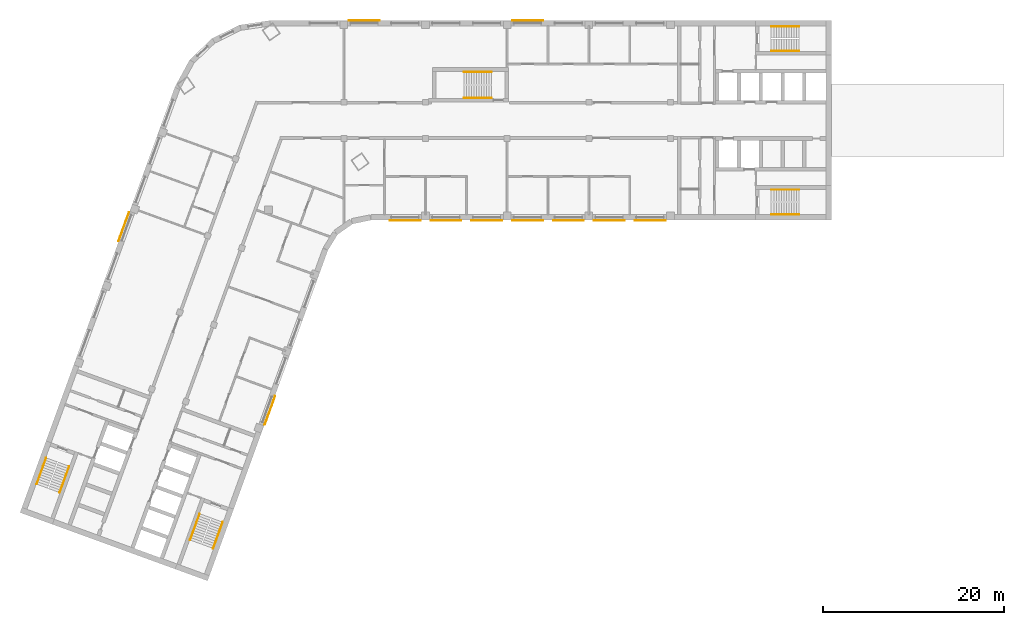
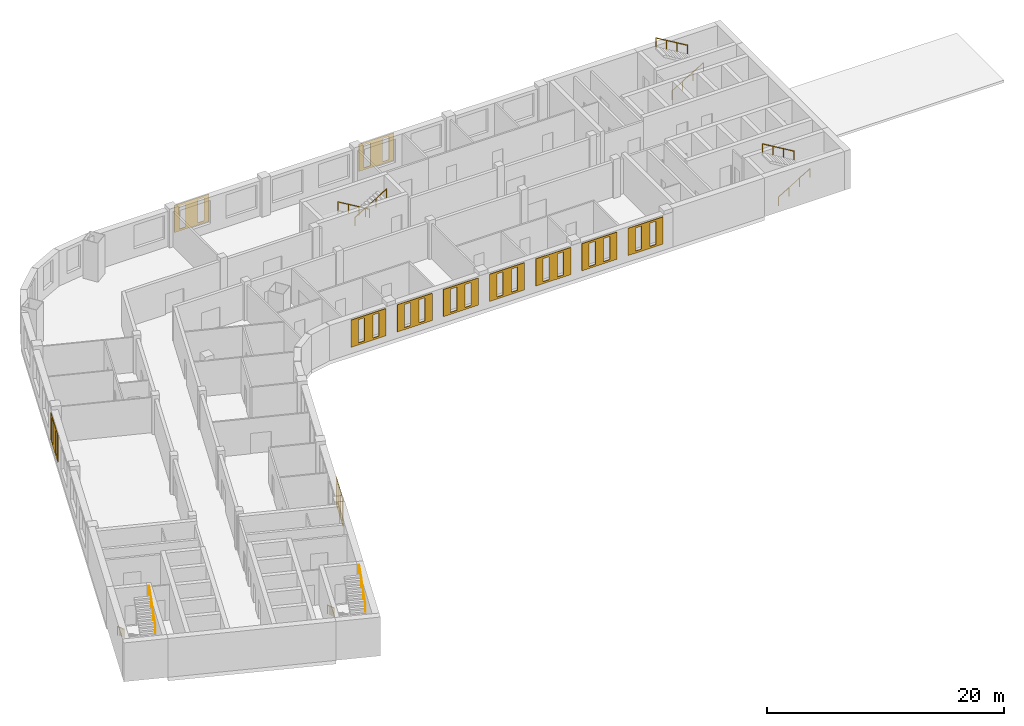
# One storey, part 8 of 8: 11 coverings, 10 railings.
"""IFC4 building model written with IfcOpenShell, lengths in metres."""

from ifc_helpers import new_model, si_unit, direction, frame, origin, origin_2d, place, context, subcontext, project, spatial, polyline, circle, outline, extrude, material, material_profile, profile_set, type_object, element, save


model = new_model("IFC4")

# Units and contexts
model_context = context("Model", 3, precision=1e-05, world=origin(), true_north=direction((0.0, 1.0)))
body_context = subcontext(model_context, "Body", "Model", "MODEL_VIEW")
ifc_project = project(units=[si_unit("LENGTHUNIT", "METRE"), si_unit("AREAUNIT", "SQUARE_METRE"), si_unit("VOLUMEUNIT", "CUBIC_METRE"), si_unit("PLANEANGLEUNIT", "RADIAN"), si_unit("MASSUNIT", "GRAM", prefix="KILO")], contexts=[model_context])

# Site, building, storey
site_placement = place(None, origin())
site = spatial("IfcSite", under=ifc_project, at=site_placement, CompositionType="ELEMENT")
building_placement = place(site_placement, origin())
building = spatial("IfcBuilding", under=site, at=building_placement, Name="Skarvind Civic Tower", CompositionType="ELEMENT")
storey_placement = place(building_placement, frame((0.0, 0.0, 121.0)))
storey = spatial("IfcBuildingStorey", under=building, at=storey_placement, Name="L28", CompositionType="ELEMENT", Elevation=121.0)

# Railings
ifc_material_1 = material(Name="Painted steel handrail", Category="steel")
railing_type = type_object("IfcRailingType", Name="Stair handrail 900", PredefinedType="HANDRAIL", material=ifc_material_1)
railing_1_placement = place(storey_placement, frame((101.35009765625, 135.64990234375, 0.166748046875)))
element("IfcRailing", 1, at=railing_1_placement, inside=storey, type_object=railing_type, Name="Stair handrail", PredefinedType="HANDRAIL", context=body_context, shape_type="SweptSolid", body=[
    extrude(circle(Radius=0.02392578125, at=origin_2d()), frame((0.0, 0.0, 0.8759765625), z_axis=(0.859290745958, 0.0, 0.51148745235), x_axis=(0.0, 1.0, 0.0)), (0.0, 0.0, 1.0), 3.584228515625),
    extrude(circle(Radius=0.02099609375, at=origin_2d()), origin(), (0.0, 0.0, 1.0), 0.851806640625),
    extrude(circle(Radius=0.02099609375, at=origin_2d()), frame((1.026611328125, 0.0, 0.611083984375)), (0.0, 0.0, 1.0), 0.851806640625),
    extrude(circle(Radius=0.02099609375, at=origin_2d()), frame((2.05322265625, 0.0, 1.22216796875)), (0.0, 0.0, 1.0), 0.851806640625),
    extrude(circle(Radius=0.02099609375, at=origin_2d()), frame((3.079833984375, 0.0, 1.833251953125)), (0.0, 0.0, 1.0), 0.851806640625),
])
railing_2_placement = place(storey_placement, frame((104.429931640625, 138.35009765625, 2.166748046875)))
element("IfcRailing", 2, at=railing_2_placement, inside=storey, type_object=railing_type, Name="Stair handrail", PredefinedType="HANDRAIL", context=body_context, shape_type="SweptSolid", body=[
    extrude(circle(Radius=0.02392578125, at=origin_2d()), frame((0.0, 0.0, 0.8759765625), z_axis=(-0.859290745958, 0.0, 0.51148745235), x_axis=(0.0, -1.0, 0.0)), (0.0, 0.0, 1.0), 3.584228515625),
    extrude(circle(Radius=0.02099609375, at=origin_2d()), origin(), (0.0, 0.0, 1.0), 0.851806640625),
    extrude(circle(Radius=0.02099609375, at=origin_2d()), frame((-1.026611328125, 0.0, 0.611083984375)), (0.0, 0.0, 1.0), 0.851806640625),
    extrude(circle(Radius=0.02099609375, at=origin_2d()), frame((-2.05322265625, 0.0, 1.22216796875)), (0.0, 0.0, 1.0), 0.851806640625),
    extrude(circle(Radius=0.02099609375, at=origin_2d()), frame((-3.079833984375, 0.0, 1.833251953125)), (0.0, 0.0, 1.0), 0.851806640625),
])
railing_3_placement = place(storey_placement, frame((101.35009765625, 117.64990234375, 0.166748046875)))
element("IfcRailing", 3, at=railing_3_placement, inside=storey, type_object=railing_type, Name="Stair handrail", PredefinedType="HANDRAIL", context=body_context, shape_type="SweptSolid", body=[
    extrude(circle(Radius=0.02392578125, at=origin_2d()), frame((0.0, 0.0, 0.8759765625), z_axis=(0.859290745958, 0.0, 0.51148745235), x_axis=(0.0, 1.0, 0.0)), (0.0, 0.0, 1.0), 3.584228515625),
    extrude(circle(Radius=0.02099609375, at=origin_2d()), origin(), (0.0, 0.0, 1.0), 0.851806640625),
    extrude(circle(Radius=0.02099609375, at=origin_2d()), frame((1.026611328125, 0.0, 0.611083984375)), (0.0, 0.0, 1.0), 0.851806640625),
    extrude(circle(Radius=0.02099609375, at=origin_2d()), frame((2.05322265625, 0.0, 1.22216796875)), (0.0, 0.0, 1.0), 0.851806640625),
    extrude(circle(Radius=0.02099609375, at=origin_2d()), frame((3.079833984375, 0.0, 1.833251953125)), (0.0, 0.0, 1.0), 0.851806640625),
])
railing_4_placement = place(storey_placement, frame((104.429931640625, 120.35009765625, 2.166748046875)))
element("IfcRailing", 4, at=railing_4_placement, inside=storey, type_object=railing_type, Name="Stair handrail", PredefinedType="HANDRAIL", context=body_context, shape_type="SweptSolid", body=[
    extrude(circle(Radius=0.02392578125, at=origin_2d()), frame((0.0, 0.0, 0.8759765625), z_axis=(-0.859290745958, 0.0, 0.51148745235), x_axis=(0.0, -1.0, 0.0)), (0.0, 0.0, 1.0), 3.584228515625),
    extrude(circle(Radius=0.02099609375, at=origin_2d()), origin(), (0.0, 0.0, 1.0), 0.851806640625),
    extrude(circle(Radius=0.02099609375, at=origin_2d()), frame((-1.026611328125, 0.0, 0.611083984375)), (0.0, 0.0, 1.0), 0.851806640625),
    extrude(circle(Radius=0.02099609375, at=origin_2d()), frame((-2.05322265625, 0.0, 1.22216796875)), (0.0, 0.0, 1.0), 0.851806640625),
    extrude(circle(Radius=0.02099609375, at=origin_2d()), frame((-3.079833984375, 0.0, 1.833251953125)), (0.0, 0.0, 1.0), 0.851806640625),
])
railing_5_placement = place(storey_placement, frame((38.362060546875, 84.64794921875, 0.166748046875)))
element("IfcRailing", 5, at=railing_5_placement, inside=storey, type_object=railing_type, Name="Stair handrail", PredefinedType="HANDRAIL", context=body_context, shape_type="SweptSolid", body=[
    extrude(circle(Radius=0.02392578125, at=origin_2d()), frame((0.0, 0.0, 0.8759765625), z_axis=(-0.293908055923, -0.807480881337, 0.511461319103), x_axis=(0.939689235759, -0.342029443467, 0.0)), (0.0, 0.0, 1.0), 3.584228515625),
    extrude(circle(Radius=0.02099609375, at=origin_2d()), origin(), (0.0, 0.0, 1.0), 0.851806640625),
    extrude(circle(Radius=0.02099609375, at=origin_2d()), frame((-0.35107421875, -0.96484375, 0.611083984375)), (0.0, 0.0, 1.0), 0.851806640625),
    extrude(circle(Radius=0.02099609375, at=origin_2d()), frame((-0.702392578125, -1.929443359375, 1.22216796875)), (0.0, 0.0, 1.0), 0.851806640625),
    extrude(circle(Radius=0.02099609375, at=origin_2d()), frame((-1.053466796875, -2.894287109375, 1.833251953125)), (0.0, 0.0, 1.0), 0.851806640625),
])
railing_6_placement = place(storey_placement, frame((39.845703125, 80.830078125, 2.166748046875)))
element("IfcRailing", 6, at=railing_6_placement, inside=storey, type_object=railing_type, Name="Stair handrail", PredefinedType="HANDRAIL", context=body_context, shape_type="SweptSolid", body=[
    extrude(circle(Radius=0.02392578125, at=origin_2d()), frame((0.0, 0.0, 0.8759765625), z_axis=(0.293908055923, 0.807480881337, 0.511461319103), x_axis=(-0.939689235759, 0.342029443467, 0.0)), (0.0, 0.0, 1.0), 3.584228515625),
    extrude(circle(Radius=0.02099609375, at=origin_2d()), origin(), (0.0, 0.0, 1.0), 0.851806640625),
    extrude(circle(Radius=0.02099609375, at=origin_2d()), frame((0.35107421875, 0.96484375, 0.611083984375)), (0.0, 0.0, 1.0), 0.851806640625),
    extrude(circle(Radius=0.02099609375, at=origin_2d()), frame((0.702392578125, 1.929443359375, 1.22216796875)), (0.0, 0.0, 1.0), 0.851806640625),
    extrude(circle(Radius=0.02099609375, at=origin_2d()), frame((1.053466796875, 2.894287109375, 1.833251953125)), (0.0, 0.0, 1.0), 0.851806640625),
])
railing_7_placement = place(storey_placement, frame((21.447509765625, 90.80419921875, 0.166748046875)))
element("IfcRailing", 7, at=railing_7_placement, inside=storey, type_object=railing_type, Name="Stair handrail", PredefinedType="HANDRAIL", context=body_context, shape_type="SweptSolid", body=[
    extrude(circle(Radius=0.02392578125, at=origin_2d()), frame((0.0, 0.0, 0.8759765625), z_axis=(-0.293845824691, -0.807497044902, 0.511471557163), x_axis=(0.939714709796, -0.34195944817, 0.0)), (0.0, 0.0, 1.0), 3.584228515625),
    extrude(circle(Radius=0.02099609375, at=origin_2d()), origin(), (0.0, 0.0, 1.0), 0.851806640625),
    extrude(circle(Radius=0.02099609375, at=origin_2d()), frame((-0.35107421875, -0.96484375, 0.611083984375)), (0.0, 0.0, 1.0), 0.851806640625),
    extrude(circle(Radius=0.02099609375, at=origin_2d()), frame((-0.7021484375, -1.929443359375, 1.22216796875)), (0.0, 0.0, 1.0), 0.851806640625),
    extrude(circle(Radius=0.02099609375, at=origin_2d()), frame((-1.05322265625, -2.894287109375, 1.833251953125)), (0.0, 0.0, 1.0), 0.851806640625),
])
railing_8_placement = place(storey_placement, frame((22.931396484375, 86.986572265625, 2.166748046875)))
element("IfcRailing", 8, at=railing_8_placement, inside=storey, type_object=railing_type, Name="Stair handrail", PredefinedType="HANDRAIL", context=body_context, shape_type="SweptSolid", body=[
    extrude(circle(Radius=0.02392578125, at=origin_2d()), frame((0.0, 0.0, 0.8759765625), z_axis=(0.293908055923, 0.807480881337, 0.511461319103), x_axis=(-0.939689235759, 0.342029443467, 0.0)), (0.0, 0.0, 1.0), 3.584228515625),
    extrude(circle(Radius=0.02099609375, at=origin_2d()), origin(), (0.0, 0.0, 1.0), 0.851806640625),
    extrude(circle(Radius=0.02099609375, at=origin_2d()), frame((0.35107421875, 0.96484375, 0.611083984375)), (0.0, 0.0, 1.0), 0.851806640625),
    extrude(circle(Radius=0.02099609375, at=origin_2d()), frame((0.702392578125, 1.929443359375, 1.22216796875)), (0.0, 0.0, 1.0), 0.851806640625),
    extrude(circle(Radius=0.02099609375, at=origin_2d()), frame((1.053466796875, 2.894287109375, 1.833251953125)), (0.0, 0.0, 1.0), 0.851806640625),
])
railing_9_placement = place(storey_placement, frame((70.550048828125, 133.35009765625, 0.166748046875)))
element("IfcRailing", 9, at=railing_9_placement, inside=storey, type_object=railing_type, Name="Stair handrail", PredefinedType="HANDRAIL", context=body_context, shape_type="SweptSolid", body=[
    extrude(circle(Radius=0.02392578125, at=origin_2d()), frame((0.0, 0.0, 0.8759765625), z_axis=(-0.859308565015, 0.0, 0.511457515432), x_axis=(0.0, -1.0, 0.0)), (0.0, 0.0, 1.0), 3.58447265625),
    extrude(circle(Radius=0.02099609375, at=origin_2d()), origin(), (0.0, 0.0, 1.0), 0.851806640625),
    extrude(circle(Radius=0.02099609375, at=origin_2d()), frame((-1.026611328125, 0.0, 0.611083984375)), (0.0, 0.0, 1.0), 0.851806640625),
    extrude(circle(Radius=0.02099609375, at=origin_2d()), frame((-2.053466796875, 0.0, 1.22216796875)), (0.0, 0.0, 1.0), 0.851806640625),
    extrude(circle(Radius=0.02099609375, at=origin_2d()), frame((-3.080078125, 0.0, 1.833251953125)), (0.0, 0.0, 1.0), 0.851806640625),
])
railing_10_placement = place(storey_placement, frame((67.469970703125, 130.449951171875, 2.166748046875)))
element("IfcRailing", 10, at=railing_10_placement, inside=storey, type_object=railing_type, Name="Stair handrail", PredefinedType="HANDRAIL", context=body_context, shape_type="SweptSolid", body=[
    extrude(circle(Radius=0.02392578125, at=origin_2d()), frame((0.0, 0.0, 0.8759765625), z_axis=(0.859308565015, 0.0, 0.511457515432), x_axis=(0.0, 1.0, 0.0)), (0.0, 0.0, 1.0), 3.58447265625),
    extrude(circle(Radius=0.02099609375, at=origin_2d()), origin(), (0.0, 0.0, 1.0), 0.851806640625),
    extrude(circle(Radius=0.02099609375, at=origin_2d()), frame((1.026611328125, 0.0, 0.611083984375)), (0.0, 0.0, 1.0), 0.851806640625),
    extrude(circle(Radius=0.02099609375, at=origin_2d()), frame((2.053466796875, 0.0, 1.22216796875)), (0.0, 0.0, 1.0), 0.851806640625),
    extrude(circle(Radius=0.02099609375, at=origin_2d()), frame((3.080078125, 0.0, 1.833251953125)), (0.0, 0.0, 1.0), 0.851806640625),
])

# Coverings
ifc_material_2 = material(Name="Terracotta", Category="masonry")
ifc_material_profile_1 = material_profile(ifc_material_2, outline(polyline([(-1.699951171875, -1.39990234375), (1.699951171875, -1.39990234375), (1.699951171875, 1.39990234375), (-1.699951171875, 1.39990234375), (-1.699951171875, -1.39990234375)]), holes=[polyline([(-1.0, -1.18994140625), (-0.39990234375, -1.18994140625), (-0.39990234375, 1.18994140625), (-1.0, 1.18994140625), (-1.0, -1.18994140625)]), polyline([(0.39990234375, -1.18994140625), (1.0, -1.18994140625), (1.0, 1.18994140625), (0.39990234375, 1.18994140625), (0.39990234375, -1.18994140625)])]), Name="TERRACOTTA SCREEN 3400 x 2800, SLIT PITCH 1400")
ifc_profile_set_1 = profile_set([ifc_material_profile_1], Name="Terracotta")
covering_type_1 = type_object("IfcCoveringType", Name="TERRACOTTA SCREEN 3400 x 2800, SLIT PITCH 1400", PredefinedType="CLADDING", material=ifc_profile_set_1)
for number, where, z_axis, x_axis, name in (
    (11, (88.0, 117.0, 2.10009765625), (0.0, -1.0, 0.0), (1.0, 0.0, 0.0), "TERRACOTTA SCREEN"),
    (12, (83.5, 117.0, 2.10009765625), (0.0, -1.0, 0.0), (1.0, 0.0, 0.0), "TERRACOTTA SCREEN"),
    (13, (79.0, 117.0, 2.10009765625), (0.0, -1.0, 0.0), (1.0, 0.0, 0.0), "TERRACOTTA SCREEN"),
    (14, (74.5, 117.0, 2.10009765625), (0.0, -1.0, 0.0), (1.0, 0.0, 0.0), "TERRACOTTA SCREEN"),
    (15, (70.0, 117.0, 2.10009765625), (0.0, -1.0, 0.0), (1.0, 0.0, 0.0), "TERRACOTTA SCREEN"),
    (16, (65.5, 117.0, 2.10009765625), (0.0, -1.0, 0.0), (1.0, 0.0, 0.0), "TERRACOTTA SCREEN"),
    (17, (61.0, 117.0, 2.10009765625), (0.0, -1.0, 0.0), (1.0, 0.0, 0.0), "TERRACOTTA SCREEN"),
):
    element("IfcCovering", number, at=place(storey_placement, frame(where, z_axis=z_axis, x_axis=x_axis)), inside=storey, type_object=covering_type_1, Name=name, PredefinedType="CLADDING", context=body_context, shape_type="SweptSolid", body=[
        extrude(outline(polyline([(-1.699951171875, -1.39990234375), (1.699951171875, -1.39990234375), (1.699951171875, 1.39990234375), (-1.699951171875, 1.39990234375), (-1.699951171875, -1.39990234375)]), holes=[polyline([(-1.0, -1.18994140625), (-0.39990234375, -1.18994140625), (-0.39990234375, 1.18994140625), (-1.0, 1.18994140625), (-1.0, -1.18994140625)]), polyline([(0.39990234375, -1.18994140625), (1.0, -1.18994140625), (1.0, 1.18994140625), (0.39990234375, 1.18994140625), (0.39990234375, -1.18994140625)])]), origin(), (0.0, 0.0, 1.0), 0.06005859375),
    ])
ifc_material_profile_2 = material_profile(ifc_material_2, outline(polyline([(-1.699951171875, -1.39990234375), (1.699951171875, -1.39990234375), (1.699951171875, 1.39990234375), (-1.699951171875, 1.39990234375), (-1.699951171875, -1.39990234375)]), holes=[polyline([(-1.199951171875, -1.18994140625), (-0.60009765625, -1.18994140625), (-0.60009765625, 1.18994140625), (-1.199951171875, 1.18994140625), (-1.199951171875, -1.18994140625)]), polyline([(0.60009765625, -1.18994140625), (1.199951171875, -1.18994140625), (1.199951171875, 1.18994140625), (0.60009765625, 1.18994140625), (0.60009765625, -1.18994140625)])]), Name="TERRACOTTA SCREEN 3400 x 2800, SLIT PITCH 1800")
ifc_profile_set_2 = profile_set([ifc_material_profile_2], Name="Terracotta")
covering_type_2 = type_object("IfcCoveringType", Name="TERRACOTTA SCREEN 3400 x 2800, SLIT PITCH 1800", PredefinedType="CLADDING", material=ifc_profile_set_2)
for number, where, z_axis, x_axis, name in (
    (18, (46.075927734375, 96.047119140625, 2.10009765625), (0.939793423488, -0.341743063087, 0.0), (0.341743063087, 0.939793423488, 0.0), "TERRACOTTA SCREEN"),
    (19, (56.5, 139.0, 2.10009765625), (0.0, 1.0, 0.0), (-1.0, 0.0, 0.0), "TERRACOTTA SCREEN"),
    (20, (74.5, 139.0, 2.10009765625), (0.0, 1.0, 0.0), (-1.0, 0.0, 0.0), "TERRACOTTA SCREEN"),
    (21, (30.02001953125, 116.25732421875, 2.10009765625), (-0.939793423488, 0.341743063087, 0.0), (-0.341743063087, -0.939793423488, 0.0), "TERRACOTTA SCREEN"),
):
    element("IfcCovering", number, at=place(storey_placement, frame(where, z_axis=z_axis, x_axis=x_axis)), inside=storey, type_object=covering_type_2, Name=name, PredefinedType="CLADDING", context=body_context, shape_type="SweptSolid", body=[
        extrude(outline(polyline([(-1.699951171875, -1.39990234375), (1.699951171875, -1.39990234375), (1.699951171875, 1.39990234375), (-1.699951171875, 1.39990234375), (-1.699951171875, -1.39990234375)]), holes=[polyline([(-1.199951171875, -1.18994140625), (-0.60009765625, -1.18994140625), (-0.60009765625, 1.18994140625), (-1.199951171875, 1.18994140625), (-1.199951171875, -1.18994140625)]), polyline([(0.60009765625, -1.18994140625), (1.199951171875, -1.18994140625), (1.199951171875, 1.18994140625), (0.60009765625, 1.18994140625), (0.60009765625, -1.18994140625)])]), origin(), (0.0, 0.0, 1.0), 0.06005859375),
    ])

save(model, "model.ifc")
